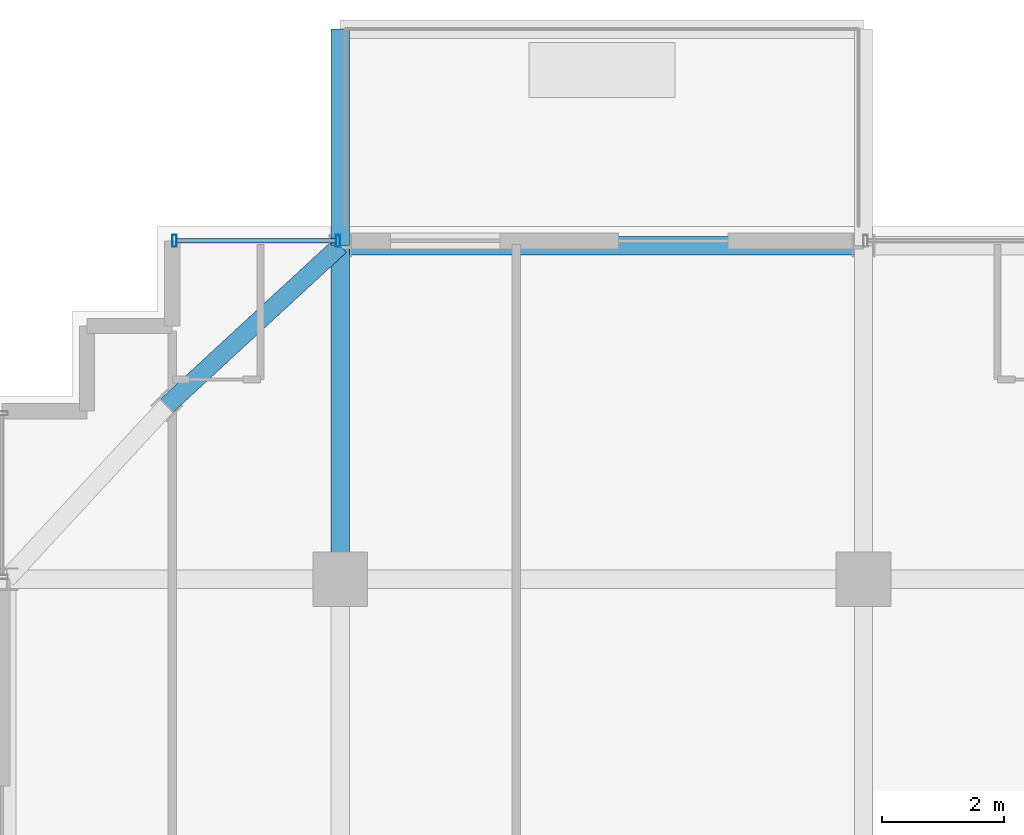
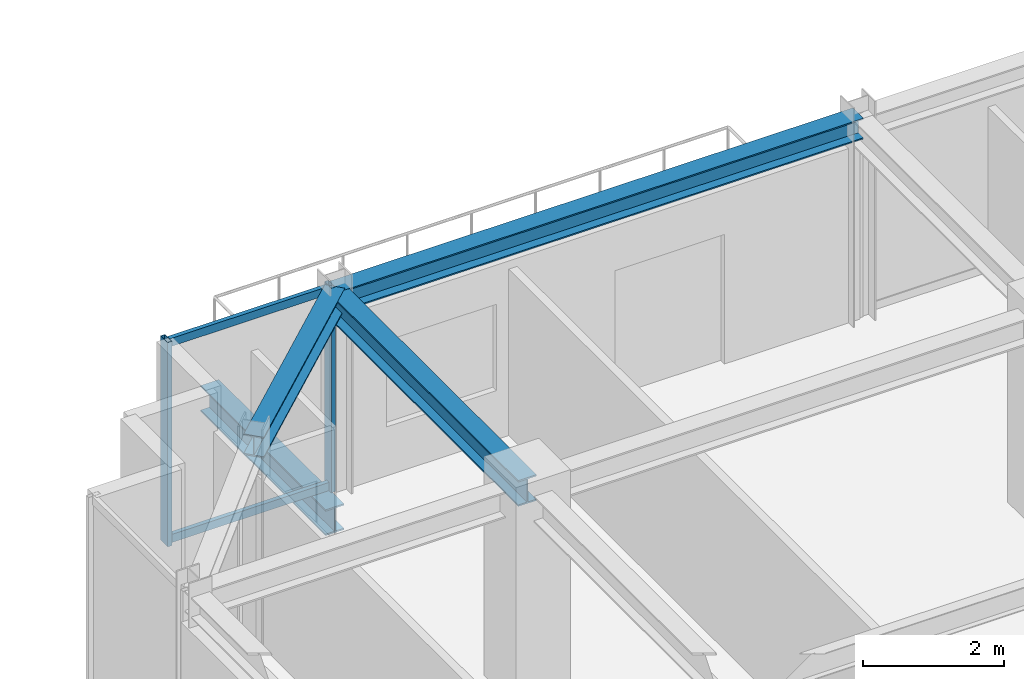
# One storey, part 26 of 41: 4 beams, 4 members, 1 element without a shape of its own.
"""IFC4 building model written with IfcOpenShell, lengths in metres."""

import ifcopenshell
import ifcopenshell.guid

model = None  # the IFC model being written
_history = None  # IfcOwnerHistory: only IFC2X3 demands one
_inside = {}  # id of a spatial element -> (the spatial element, [elements in it])
_under = {}  # id of a project, library or spatial element -> (it, [spatial elements below it])
_declared = {}  # id of a project -> (the project, [libraries it declares])
_typed = {}  # id of a type object -> (the type object, [elements of that type])
_made_of = {}  # id of a material, layer set ... -> (it, [elements and type objects made of it])


def new_model(schema):
    """Start an empty IFC model of exactly this schema.

    Asked for "IFC4X3", IfcOpenShell would pick the latest addendum, in which some entities
    have other attributes; the version numbers below select the first issue.
    IFC2X3 requires an IfcOwnerHistory on every rooted entity: one is made here for all.
    """
    global model, _history
    if schema == "IFC4X3":
        model = ifcopenshell.file(schema_version=(4, 3, 0, 0))
    else:
        model = ifcopenshell.file(schema=schema)
    _inside.clear()
    _under.clear()
    _declared.clear()
    _typed.clear()
    _made_of.clear()
    _history = None
    if model.schema == "IFC2X3":
        org = make("IfcOrganization", Name="unknown")
        user = make(
            "IfcPersonAndOrganization",
            ThePerson=make("IfcPerson", FamilyName="unknown"),
            TheOrganization=org,
        )
        app = make(
            "IfcApplication",
            ApplicationDeveloper=org,
            Version="unknown",
            ApplicationFullName="unknown",
            ApplicationIdentifier="unknown",
        )
        _history = make(
            "IfcOwnerHistory",
            OwningUser=user,
            OwningApplication=app,
            ChangeAction="ADDED",
            CreationDate=0,
        )
    return model


def make(cls, **values):
    """One entity of the class cls with the attributes given. An attribute that is None is left unset."""
    return model.create_entity(
        cls, **{name: value for name, value in values.items() if value is not None}
    )


def rooted(cls, **values):
    """An entity with a GlobalId (a new one), such as an element, a storey or a relation."""
    return make(cls, GlobalId=ifcopenshell.guid.new(), OwnerHistory=_history, **values)


def si_unit(unit_type, name, prefix=None):
    """IfcSIUnit, for example si_unit("LENGTHUNIT", "METRE", prefix="MILLI")."""
    return make("IfcSIUnit", UnitType=unit_type, Prefix=prefix, Name=name)


def assignment(units):
    """IfcUnitAssignment: the units of a project."""
    return None if units is None else make("IfcUnitAssignment", Units=units)


def point(xyz):
    """IfcCartesianPoint."""
    return None if xyz is None else make("IfcCartesianPoint", Coordinates=xyz)


def direction(xyz):
    """IfcDirection."""
    return None if xyz is None else make("IfcDirection", DirectionRatios=xyz)


def frame(location, z_axis=None, x_axis=None):
    """IfcAxis2Placement3D, a coordinate frame: its origin and axes. An axis left out is left unset."""
    return make(
        "IfcAxis2Placement3D",
        Location=point(location),
        Axis=direction(z_axis),
        RefDirection=direction(x_axis),
    )


def frame_2d(location, x_axis=None):
    """IfcAxis2Placement2D, a coordinate frame in the plane: its origin and x axis."""
    return make(
        "IfcAxis2Placement2D", Location=point(location), RefDirection=direction(x_axis)
    )


def origin():
    """The frame at (0, 0, 0) with its axes left unset."""
    return frame((0.0, 0.0, 0.0))


def origin_2d():
    """The frame at (0, 0) in the plane with its x axis left unset."""
    return frame_2d((0.0, 0.0))


def place(relative_to, where):
    """IfcLocalPlacement: puts the frame where relative to a parent placement (None: the world)."""
    return make(
        "IfcLocalPlacement", PlacementRelTo=relative_to, RelativePlacement=where
    )


def context(
    kind, dimensions, precision=None, world=None, true_north=None, identifier=None
):
    """IfcGeometricRepresentationContext, for example the 3D "Model" context."""
    return make(
        "IfcGeometricRepresentationContext",
        ContextIdentifier=identifier,
        ContextType=kind,
        CoordinateSpaceDimension=dimensions,
        Precision=precision,
        WorldCoordinateSystem=world,
        TrueNorth=true_north,
    )


def subcontext(parent, identifier, kind, view, scale=None):
    """IfcGeometricRepresentationSubContext, for example "Body" below "Model"."""
    return make(
        "IfcGeometricRepresentationSubContext",
        ContextIdentifier=identifier,
        ContextType=kind,
        ParentContext=parent,
        TargetScale=scale,
        TargetView=view,
    )


def project(units=None, contexts=None):
    """IfcProject with its units and contexts."""
    return rooted(
        "IfcProject",
        Name="project",
        RepresentationContexts=contexts,
        UnitsInContext=assignment(units),
    )


def spatial(cls, under=None, at=None, **own):
    """A site, building, storey or space (cls), placed at a placement, below another one or the project."""
    s = rooted(cls, ObjectPlacement=at, **own)
    if under is not None:
        _under.setdefault(under.id(), (under, []))[1].append(s)
    return s


def profile(cls, at=None, kind="AREA", **sizes):
    """A parametric profile (cls). Its sizes go by their IFC names, for example OverallWidth=200.0."""
    return make(cls, ProfileType=kind, Position=at, **sizes)


def hollow_rectangle(**sizes):
    """IfcRectangleHollowProfileDef."""
    return profile("IfcRectangleHollowProfileDef", **sizes)


def i_section(**sizes):
    """IfcIShapeProfileDef."""
    return profile("IfcIShapeProfileDef", **sizes)


def extrude(swept, where, along, depth):
    """IfcExtrudedAreaSolid: the profile swept, set in the frame where, extruded along a direction by depth."""
    return make(
        "IfcExtrudedAreaSolid",
        SweptArea=swept,
        Position=where,
        ExtrudedDirection=direction(along),
        Depth=depth,
    )


def shape(context_of_items, identifier, shape_type, items):
    """IfcShapeRepresentation: the items that make up one representation, for example the "Body"."""
    return make(
        "IfcShapeRepresentation",
        ContextOfItems=context_of_items,
        RepresentationIdentifier=identifier,
        RepresentationType=shape_type,
        Items=items,
    )


def source(mapping_origin, context_of_items, identifier, shape_type, items):
    """IfcRepresentationMap: a shape defined once, which mapped items show again and again."""
    return make(
        "IfcRepresentationMap",
        MappingOrigin=mapping_origin,
        MappedRepresentation=shape(context_of_items, identifier, shape_type, items),
    )


def transform(
    local_origin,
    x_axis=None,
    y_axis=None,
    z_axis=None,
    scale=None,
    scale2=None,
    scale3=None,
    uniform=True,
):
    """IfcCartesianTransformationOperator3D, or its non-uniform kind. x_axis, y_axis, z_axis: its Axis1, 2, 3."""
    if uniform:
        return make(
            "IfcCartesianTransformationOperator3D",
            Axis1=direction(x_axis),
            Axis2=direction(y_axis),
            LocalOrigin=point(local_origin),
            Scale=scale,
            Axis3=direction(z_axis),
        )
    return make(
        "IfcCartesianTransformationOperator3DnonUniform",
        Axis1=direction(x_axis),
        Axis2=direction(y_axis),
        LocalOrigin=point(local_origin),
        Scale=scale,
        Axis3=direction(z_axis),
        Scale2=scale2,
        Scale3=scale3,
    )


def mapped(mapping_source, mapping_target):
    """IfcMappedItem: shows the shape of a source again, moved by a transform."""
    return make(
        "IfcMappedItem", MappingSource=mapping_source, MappingTarget=mapping_target
    )


def material(Name=None, Category=None):
    """IfcMaterial."""
    return make("IfcMaterial", Name=Name, Category=Category)


def material_profile(
    of_material, cross_section, Name=None, Category=None, Priority=None
):
    """IfcMaterialProfile: a cross section and its material."""
    return make(
        "IfcMaterialProfile",
        Name=Name,
        Material=of_material,
        Profile=cross_section,
        Priority=Priority,
        Category=Category,
    )


def profile_set(profiles, Name=None, composite=None):
    """IfcMaterialProfileSet."""
    return make(
        "IfcMaterialProfileSet",
        Name=Name,
        MaterialProfiles=profiles,
        CompositeProfile=composite,
    )


def made_of(thing, what):
    """Note that an element or type object is made of a material, layer set ...; save() writes the relation."""
    if what is not None:
        _made_of.setdefault(what.id(), (what, []))[1].append(thing)
    return thing


def type_object(cls, material=None, **own):
    """A type object (cls), such as IfcWallType, which elements share."""
    return made_of(rooted(cls, **own), material)


def element(
    cls,
    number,
    at=None,
    inside=None,
    cuts=None,
    type_object=None,
    material=None,
    context=None,
    identifier="Body",
    shape_type=None,
    held_by="IfcProductDefinitionShape",
    body=None,
    shapes=None,
    **own,
):
    """One element of the class cls, such as IfcWall. Its Tag is "e" and its number.

    at: its placement. inside: the storey or other place that contains it. cuts: it is an
    opening in that element (IfcRelVoidsElement). A single representation is given by context,
    identifier, shape_type and body (its items); several are given by shapes. held_by: the class
    of the entity that holds the representations. save() writes the other relations.
    """
    e = rooted(cls, Tag="e%d" % number, ObjectPlacement=at, **own)
    if body is not None:
        shapes = [shape(context, identifier, shape_type, body)]
    if shapes is not None:
        e.Representation = make(held_by, Representations=shapes)
    if inside is not None:
        _inside.setdefault(inside.id(), (inside, []))[1].append(e)
    if cuts is not None:
        rooted(
            "IfcRelVoidsElement", RelatingBuildingElement=cuts, RelatedOpeningElement=e
        )
    if type_object is not None:
        _typed.setdefault(type_object.id(), (type_object, []))[1].append(e)
    return made_of(e, material)


def aggregate(whole, parts):
    """IfcRelAggregates: a whole, such as a stair, and the parts it consists of."""
    return rooted("IfcRelAggregates", RelatingObject=whole, RelatedObjects=parts)


def save(model, path):
    """Write the relations noted so far, then the file.

    IfcRelAggregates (storeys below a building ...), IfcRelContainedInSpatialStructure (elements
    in a storey), IfcRelDefinesByType, IfcRelAssociatesMaterial and IfcRelDeclares: one each for
    every whole, place, type object, material and project.
    """
    for whole, parts in _under.values():
        aggregate(whole, parts)
    for where, things in _inside.values():
        rooted(
            "IfcRelContainedInSpatialStructure",
            RelatedElements=things,
            RelatingStructure=where,
        )
    for kind, things in _typed.values():
        rooted("IfcRelDefinesByType", RelatedObjects=things, RelatingType=kind)
    for what, things in _made_of.values():
        rooted("IfcRelAssociatesMaterial", RelatedObjects=things, RelatingMaterial=what)
    for by, libraries in _declared.values():
        rooted("IfcRelDeclares", RelatingContext=by, RelatedDefinitions=libraries)
    model.write(path)


model = new_model("IFC4")

# Units and contexts
model_context = context("Model", 3, precision=1e-05, world=origin(), true_north=direction((0.0, 1.0)))
body_context = subcontext(model_context, "Body", "Model", "MODEL_VIEW")
ifc_project = project(units=[si_unit("LENGTHUNIT", "METRE"), si_unit("AREAUNIT", "SQUARE_METRE"), si_unit("VOLUMEUNIT", "CUBIC_METRE"), si_unit("PLANEANGLEUNIT", "RADIAN"), si_unit("MASSUNIT", "GRAM", prefix="KILO")], contexts=[model_context])

# Site, building, storey
site_placement = place(None, origin())
site = spatial("IfcSite", under=ifc_project, at=site_placement, CompositionType="ELEMENT")
building_placement = place(site_placement, origin())
building = spatial("IfcBuilding", under=site, at=building_placement, Name="Nahalor Promenade Grand Hotel", CompositionType="ELEMENT")
storey_placement = place(building_placement, frame((0.0, 0.0, 304.199951171875)))
storey = spatial("IfcBuildingStorey", under=building, at=storey_placement, Name="L78", CompositionType="ELEMENT", Elevation=304.199951171875)

# Beams
ifc_material_1 = material(Name="Steel S355JR", Category="steel")
ifc_material_profile_1 = material_profile(ifc_material_1, i_section(OverallWidth=0.3, OverallDepth=0.45, WebThickness=0.014, FlangeThickness=0.026, at=origin_2d()), Name="HEB 450")
ifc_profile_set_1 = profile_set([ifc_material_profile_1], Name="Steel S355JR")
beam_type_1 = type_object("IfcBeamType", Name="Beam-Outrigger-HEB450", PredefinedType="BEAM", material=ifc_profile_set_1)
shared_shape_1 = source(origin(), body_context, "Body", "SweptSolid", [
    extrude(i_section(OverallWidth=0.3, OverallDepth=0.45, WebThickness=0.014, FlangeThickness=0.026, at=origin_2d()), origin(), (0.0, 0.0, 1.0), 3.56005859375),
])
beam_1_placement = place(storey_placement, frame((-17.0, 22.47998046875, -0.5048828125), z_axis=(0.0, 1.0, 0.0), x_axis=(-1.0, 0.0, 0.0)))
element("IfcBeam", 1, at=beam_1_placement, inside=storey, type_object=beam_type_1, Name="BM-L78-BC-01-1", PredefinedType="BEAM", context=body_context, shape_type="MappedRepresentation", body=[
    mapped(shared_shape_1, transform((0.0, 0.0, 0.0), scale=1.0)),
])
ifc_material_profile_2 = material_profile(ifc_material_1, i_section(OverallWidth=0.3, OverallDepth=0.45, WebThickness=0.014, FlangeThickness=0.026, at=origin_2d()), Name="HEB 450")
ifc_profile_set_2 = profile_set([ifc_material_profile_2], Name="Steel S355JR")
beam_type_2 = type_object("IfcBeamType", Name="Beam-Girder-HEB450", PredefinedType="BEAM", material=ifc_profile_set_2)
shared_shape_2 = source(origin(), body_context, "Body", "SweptSolid", [
    extrude(i_section(OverallWidth=0.3, OverallDepth=0.45, WebThickness=0.014, FlangeThickness=0.026, at=origin_2d()), origin(), (0.0, 0.0, 1.0), 5.47998046875),
])
beam_2_placement = place(storey_placement, frame((-17.0, 17.0, 3.324951171875), z_axis=(0.0, 1.0, 0.0), x_axis=(-1.0, 0.0, 0.0)))
element("IfcBeam", 2, at=beam_2_placement, inside=storey, type_object=beam_type_2, Name="BM-L78-GY-0-4", PredefinedType="BEAM", context=body_context, shape_type="MappedRepresentation", body=[
    mapped(shared_shape_2, transform((0.0, 0.0, 0.0), scale=1.0)),
])
ifc_material_profile_3 = material_profile(ifc_material_1, i_section(OverallWidth=0.3, OverallDepth=0.36, WebThickness=0.0125, FlangeThickness=0.0225, at=origin_2d()), Name="HEB 360")
ifc_profile_set_3 = profile_set([ifc_material_profile_3], Name="Steel S355JR")
beam_type_3 = type_object("IfcBeamType", Name="Beam-Spandrel-HEB360", PredefinedType="SPANDREL", material=ifc_profile_set_3)
shared_shape_3 = source(origin(), body_context, "Body", "SweptSolid", [
    extrude(i_section(OverallWidth=0.3, OverallDepth=0.36, WebThickness=0.0125, FlangeThickness=0.0225, at=origin_2d()), origin(), (0.0, 0.0, 1.0), 8.60009765625),
])
beam_3_placement = place(storey_placement, frame((-17.0, 22.47998046875, 3.3701171875), z_axis=(1.0, 0.0, 0.0), x_axis=(0.0, 1.0, 0.0)))
element("IfcBeam", 3, at=beam_3_placement, inside=storey, type_object=beam_type_3, Name="BM-L78-SP-N-0", PredefinedType="SPANDREL", context=body_context, shape_type="MappedRepresentation", body=[
    mapped(shared_shape_3, transform((0.0, 0.0, 0.0), scale=1.0)),
])
shared_shape_4 = source(origin(), body_context, "Body", "SweptSolid", [
    extrude(i_section(OverallWidth=0.3, OverallDepth=0.36, WebThickness=0.0125, FlangeThickness=0.0225, at=origin_2d()), origin(), (0.0, 0.0, 1.0), 3.878173828125),
])
beam_4_placement = place(storey_placement, frame((-17.0, 22.47998046875, 3.3701171875), z_axis=(-0.73492893846, -0.678144125843, 0.0), x_axis=(0.678144125843, -0.73492893846, 0.0)))
element("IfcBeam", 4, at=beam_4_placement, inside=storey, type_object=beam_type_3, Name="BM-L78-SPC-NW-1", PredefinedType="SPANDREL", context=body_context, shape_type="MappedRepresentation", body=[
    mapped(shared_shape_4, transform((0.0, 0.0, 0.0), scale=1.0)),
])

# Curtain wall, members
ifc_material_2 = material(Name="Anodised Bronze Aluminium EN AW-6063 T6", Category="aluminium")
curtain_wall_type = type_object("IfcCurtainWallType", Name="CW3 Elliptical-Void Collar Unitised Curtain Wall", PredefinedType="USERDEFINED", material=ifc_material_2)
curtain_wall_placement = place(storey_placement, origin())
curtain_wall = element("IfcCurtainWall", 5, at=curtain_wall_placement, inside=storey, type_object=curtain_wall_type, Name="L78 Curtain Wall CW-L78-N-1", ObjectType="UNITISED_CURTAIN_WALL", PredefinedType="USERDEFINED")
ifc_material_profile_4 = material_profile(ifc_material_2, hollow_rectangle(XDim=0.07, YDim=0.14, WallThickness=0.004, at=origin_2d()), Name="CWT 70x140x4")
ifc_profile_set_4 = profile_set([ifc_material_profile_4], Name="Anodised Bronze Aluminium EN AW-6063 T6")
member_type_1 = type_object("IfcMemberType", Name="CWT3 Void Collar Transom 70x140", PredefinedType="USERDEFINED", material=ifc_profile_set_4)
shared_shape_5 = source(origin(), body_context, "Body", "SweptSolid", [
    extrude(hollow_rectangle(XDim=0.07, YDim=0.14, WallThickness=0.004, at=origin_2d()), origin(), (0.0, 0.0, 1.0), 2.619873046875),
])
member_1_placement = place(storey_placement, frame((-19.68994140625, 22.56005859375, 0.070068359375), z_axis=(1.0, 0.0, 0.0), x_axis=(0.0, 1.0, 0.0)))
member_1 = element("IfcMember", 6, at=member_1_placement, type_object=member_type_1, Name="CW-L78-N-1 Transom 0-0", ObjectType="TRANSOM", PredefinedType="USERDEFINED", context=body_context, shape_type="MappedRepresentation", body=[
    mapped(shared_shape_5, transform((0.0, 0.0, 0.0), scale=1.0)),
])
member_2_placement = place(storey_placement, frame((-19.68994140625, 22.56005859375, 3.47998046875), z_axis=(1.0, 0.0, 0.0), x_axis=(0.0, 1.0, 0.0)))
member_2 = element("IfcMember", 7, at=member_2_placement, type_object=member_type_1, Name="CW-L78-N-1 Transom 0-1", ObjectType="TRANSOM", PredefinedType="USERDEFINED", context=body_context, shape_type="MappedRepresentation", body=[
    mapped(shared_shape_5, transform((0.0, 0.0, 0.0), scale=1.0)),
])
ifc_material_profile_5 = material_profile(ifc_material_2, hollow_rectangle(XDim=0.07, YDim=0.2, WallThickness=0.005, at=origin_2d()), Name="CWM 70x200x5")
ifc_profile_set_5 = profile_set([ifc_material_profile_5], Name="Anodised Bronze Aluminium EN AW-6063 T6")
member_type_2 = type_object("IfcMemberType", Name="CWM3 Void Collar Mullion 70x200", PredefinedType="MULLION", material=ifc_profile_set_5)
shared_shape_6 = source(origin(), body_context, "Body", "SweptSolid", [
    extrude(hollow_rectangle(XDim=0.07, YDim=0.2, WallThickness=0.005, at=origin_2d()), origin(), (0.0, 0.0, 1.0), 3.550048828125),
])
member_3_placement = place(storey_placement, frame((-19.72509765625, 22.56005859375, 0.0), z_axis=(0.0, 0.0, 1.0), x_axis=(1.0, 0.0, 0.0)))
member_3 = element("IfcMember", 8, at=member_3_placement, type_object=member_type_2, Name="CW-L78-N-1 Mullion 0", PredefinedType="MULLION", context=body_context, shape_type="MappedRepresentation", body=[
    mapped(shared_shape_6, transform((0.0, 0.0, 0.0), scale=1.0)),
])
member_4_placement = place(storey_placement, frame((-17.034912109375, 22.56005859375, 0.0), z_axis=(0.0, 0.0, 1.0), x_axis=(1.0, 0.0, 0.0)))
member_4 = element("IfcMember", 9, at=member_4_placement, type_object=member_type_2, Name="CW-L78-N-1 Mullion 1", PredefinedType="MULLION", context=body_context, shape_type="MappedRepresentation", body=[
    mapped(shared_shape_6, transform((0.0, 0.0, 0.0), scale=1.0)),
])
aggregate(curtain_wall, [member_3, member_4, member_1, member_2])

save(model, "model.ifc")
